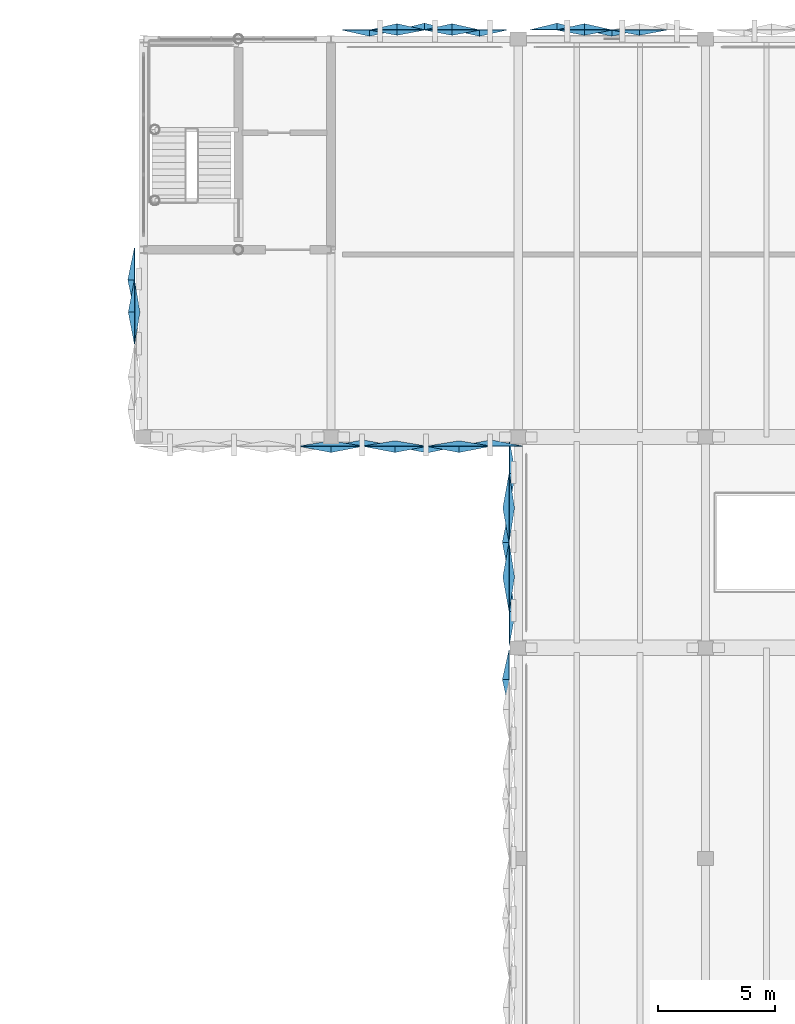
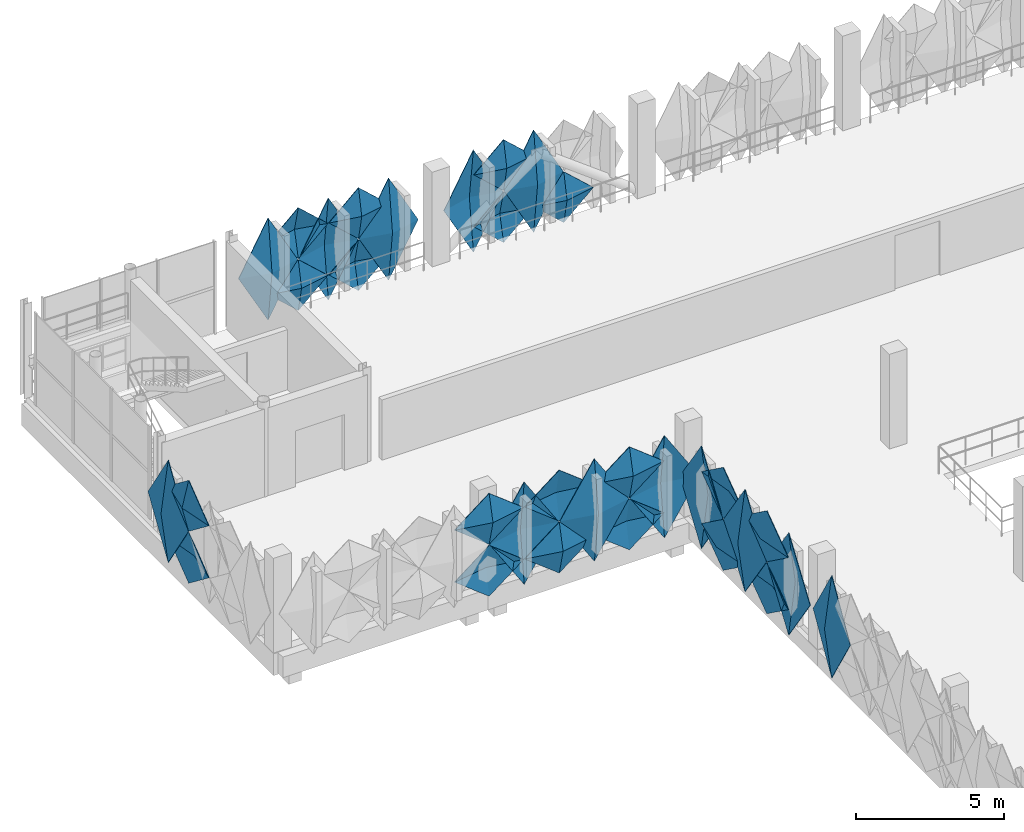
# One storey, part 38 of 52: 32 plates.
"""IFC4 building model written with IfcOpenShell, lengths in metres."""

from ifc_helpers import new_model, si_unit, derived_unit, direction, frame, origin, place, context, subcontext, project, spatial, polygons, material, layer, layer_set, type_object, element, save


model = new_model("IFC4")

# Units and contexts
model_context = context("Model", 3, precision=1e-05, world=origin(), true_north=direction((0.0, 1.0)))
body_context = subcontext(model_context, "Body", "Model", "MODEL_VIEW")
ifc_project = project(units=[si_unit("LENGTHUNIT", "METRE"), si_unit("AREAUNIT", "SQUARE_METRE"), si_unit("VOLUMEUNIT", "CUBIC_METRE"), si_unit("PLANEANGLEUNIT", "RADIAN"), si_unit("MASSUNIT", "GRAM", prefix="KILO"), si_unit("THERMODYNAMICTEMPERATUREUNIT", "KELVIN"), derived_unit("THERMALTRANSMITTANCEUNIT", [(si_unit("POWERUNIT", "WATT"), 1), (si_unit("AREAUNIT", "SQUARE_METRE"), -1), (si_unit("THERMODYNAMICTEMPERATUREUNIT", "KELVIN"), -1)])], contexts=[model_context])

# Site, building, storey
site_placement = place(None, origin())
site = spatial("IfcSite", under=ifc_project, at=site_placement, CompositionType="ELEMENT")
building_placement = place(site_placement, origin())
building = spatial("IfcBuilding", under=site, at=building_placement, Name="Haiyu Intermodal Mobility Hub", CompositionType="ELEMENT")
storey_placement = place(building_placement, frame((0.0, 0.0, 21.199951171875)))
storey = spatial("IfcBuildingStorey", under=building, at=storey_placement, Name="L05", CompositionType="ELEMENT", Elevation=21.199951171875)

# Plates
ifc_material = material(Name="Anodised aluminium 6063-T6", Category="aluminium")
ifc_layer_1 = layer(ifc_material, 0.02001953125)
ifc_layer_set_1 = layer_set([ifc_layer_1], Name="Anodised aluminium 6063-T6")
plate_type_1 = type_object("IfcPlateType", Name="PLT-FC02", PredefinedType="USERDEFINED", material=ifc_layer_set_1)
plate_1_placement = place(storey_placement, origin())
element("IfcPlate", 1, at=plate_1_placement, inside=storey, type_object=plate_type_1, Name="PLT-PYR-2428", ObjectType="FACADE CASSETTE", PredefinedType="USERDEFINED", context=body_context, shape_type="Tessellation", body=[
    polygons([(31.366943359375, 130.60009765625, -0.510009765625), (32.712890625, 130.60009765625, 1.60009765625), (31.366943359375, 130.60009765625, 3.7099609375), (30.02001953125, 130.60009765625, 1.60009765625), (31.366943359375, 130.860107421875, 1.60009765625), (31.366943359375, 130.6220703125, -0.510009765625), (32.712890625, 130.6220703125, 1.60009765625), (31.366943359375, 130.6220703125, 3.7099609375), (30.02001953125, 130.6220703125, 1.60009765625), (31.366943359375, 130.882080078125, 1.60009765625)], [[[1, 2, 5]], [[2, 3, 5]], [[3, 4, 5]], [[4, 1, 5]], [[7, 6, 10]], [[8, 7, 10]], [[9, 8, 10]], [[6, 9, 10]], [[1, 6, 7, 2]], [[2, 7, 8, 3]], [[3, 8, 9, 4]], [[4, 9, 6, 1]]], closed=True),
])
ifc_layer_2 = layer(ifc_material, 0.01806640625)
ifc_layer_set_2 = layer_set([ifc_layer_2], Name="Anodised aluminium 6063-T6")
plate_type_2 = type_object("IfcPlateType", Name="PLT-FC03", PredefinedType="USERDEFINED", material=ifc_layer_set_2)
plate_2_placement = place(storey_placement, origin())
element("IfcPlate", 2, at=plate_2_placement, inside=storey, type_object=plate_type_2, Name="PLT-PYR-0030", ObjectType="FACADE CASSETTE", PredefinedType="USERDEFINED", context=body_context, shape_type="Tessellation", body=[
    polygons([(35.173095703125, 148.39990234375, -0.52001953125), (34.02001953125, 148.39990234375, 0.530029296875), (35.173095703125, 148.39990234375, 1.580078125), (36.326904296875, 148.39990234375, 0.530029296875), (35.173095703125, 148.659912109375, 0.530029296875), (35.173095703125, 148.3779296875, -0.52001953125), (34.02001953125, 148.3779296875, 0.530029296875), (35.173095703125, 148.3779296875, 1.580078125), (36.326904296875, 148.3779296875, 0.530029296875), (35.173095703125, 148.637939453125, 0.530029296875)], [[[1, 2, 5]], [[2, 3, 5]], [[3, 4, 5]], [[4, 1, 5]], [[7, 6, 10]], [[8, 7, 10]], [[9, 8, 10]], [[6, 9, 10]], [[1, 6, 7, 2]], [[2, 7, 8, 3]], [[3, 8, 9, 4]], [[4, 9, 6, 1]]], closed=True),
])
plate_3_placement = place(storey_placement, origin())
element("IfcPlate", 3, at=plate_3_placement, inside=storey, type_object=plate_type_2, Name="PLT-PYR-0068", ObjectType="FACADE CASSETTE", PredefinedType="USERDEFINED", context=body_context, shape_type="Tessellation", body=[
    polygons([(40.826904296875, 148.39990234375, -0.52001953125), (39.673095703125, 148.39990234375, 0.530029296875), (40.826904296875, 148.39990234375, 1.580078125), (41.97998046875, 148.39990234375, 0.530029296875), (40.826904296875, 148.659912109375, 0.530029296875), (40.826904296875, 148.3779296875, -0.52001953125), (39.673095703125, 148.3779296875, 0.530029296875), (40.826904296875, 148.3779296875, 1.580078125), (41.97998046875, 148.3779296875, 0.530029296875), (40.826904296875, 148.637939453125, 0.530029296875)], [[[1, 2, 5]], [[2, 3, 5]], [[3, 4, 5]], [[4, 1, 5]], [[7, 6, 10]], [[8, 7, 10]], [[9, 8, 10]], [[6, 9, 10]], [[1, 6, 7, 2]], [[2, 7, 8, 3]], [[3, 8, 9, 4]], [[4, 9, 6, 1]]], closed=True),
])
plate_4_placement = place(storey_placement, origin())
element("IfcPlate", 4, at=plate_4_placement, inside=storey, type_object=plate_type_2, Name="PLT-PYR-0597", ObjectType="FACADE CASSETTE", PredefinedType="USERDEFINED", context=body_context, shape_type="Tessellation", body=[
    polygons([(37.60009765625, 120.64599609375, -0.510009765625), (37.60009765625, 119.39111328125, 1.60009765625), (37.60009765625, 120.64599609375, 3.7099609375), (37.60009765625, 121.89990234375, 1.60009765625), (37.320068359375, 120.64599609375, 1.60009765625), (37.6220703125, 120.64599609375, -0.510009765625), (37.6220703125, 119.39111328125, 1.60009765625), (37.6220703125, 120.64599609375, 3.7099609375), (37.6220703125, 121.89990234375, 1.60009765625), (37.342041015625, 120.64599609375, 1.60009765625)], [[[1, 2, 5]], [[2, 3, 5]], [[3, 4, 5]], [[4, 1, 5]], [[7, 6, 10]], [[8, 7, 10]], [[9, 8, 10]], [[6, 9, 10]], [[1, 6, 7, 2]], [[2, 7, 8, 3]], [[3, 8, 9, 4]], [[4, 9, 6, 1]]], closed=True),
])
plate_5_placement = place(storey_placement, origin())
element("IfcPlate", 5, at=plate_5_placement, inside=storey, type_object=plate_type_2, Name="PLT-PYR-0645", ObjectType="FACADE CASSETTE", PredefinedType="USERDEFINED", context=body_context, shape_type="Tessellation", body=[
    polygons([(37.60009765625, 127.972900390625, -0.52001953125), (37.60009765625, 126.52001953125, 0.530029296875), (37.60009765625, 127.972900390625, 1.580078125), (37.60009765625, 129.427001953125, 0.530029296875), (37.340087890625, 127.972900390625, 0.530029296875), (37.6220703125, 127.972900390625, -0.52001953125), (37.6220703125, 126.52001953125, 0.530029296875), (37.6220703125, 127.972900390625, 1.580078125), (37.6220703125, 129.427001953125, 0.530029296875), (37.362060546875, 127.972900390625, 0.530029296875)], [[[1, 2, 5]], [[2, 3, 5]], [[3, 4, 5]], [[4, 1, 5]], [[7, 6, 10]], [[8, 7, 10]], [[9, 8, 10]], [[6, 9, 10]], [[1, 6, 7, 2]], [[2, 7, 8, 3]], [[3, 8, 9, 4]], [[4, 9, 6, 1]]], closed=True),
])
plate_6_placement = place(storey_placement, origin())
element("IfcPlate", 6, at=plate_6_placement, inside=storey, type_object=plate_type_2, Name="PLT-PYR-2316", ObjectType="FACADE CASSETTE", PredefinedType="USERDEFINED", context=body_context, shape_type="Tessellation", body=[
    polygons([(21.60009765625, 137.717041015625, -0.510009765625), (21.60009765625, 136.35302734375, 1.60009765625), (21.60009765625, 137.717041015625, 3.7099609375), (21.60009765625, 139.080078125, 1.60009765625), (21.320068359375, 137.717041015625, 1.60009765625), (21.6220703125, 137.717041015625, -0.510009765625), (21.6220703125, 136.35302734375, 1.60009765625), (21.6220703125, 137.717041015625, 3.7099609375), (21.6220703125, 139.080078125, 1.60009765625), (21.342041015625, 137.717041015625, 1.60009765625)], [[[1, 2, 5]], [[2, 3, 5]], [[3, 4, 5]], [[4, 1, 5]], [[7, 6, 10]], [[8, 7, 10]], [[9, 8, 10]], [[6, 9, 10]], [[1, 6, 7, 2]], [[2, 7, 8, 3]], [[3, 8, 9, 4]], [[4, 9, 6, 1]]], closed=True),
])
plate_7_placement = place(storey_placement, origin())
element("IfcPlate", 7, at=plate_7_placement, inside=storey, type_object=plate_type_2, Name="PLT-PYR-2429", ObjectType="FACADE CASSETTE", PredefinedType="USERDEFINED", context=body_context, shape_type="Tessellation", body=[
    polygons([(32.73291015625, 130.60009765625, -0.52001953125), (34.080078125, 130.60009765625, 0.530029296875), (32.73291015625, 130.60009765625, 1.580078125), (31.386962890625, 130.60009765625, 0.530029296875), (32.73291015625, 130.340087890625, 0.530029296875), (32.73291015625, 130.6220703125, -0.52001953125), (34.080078125, 130.6220703125, 0.530029296875), (32.73291015625, 130.6220703125, 1.580078125), (31.386962890625, 130.6220703125, 0.530029296875), (32.73291015625, 130.362060546875, 0.530029296875)], [[[1, 2, 5]], [[2, 3, 5]], [[3, 4, 5]], [[4, 1, 5]], [[7, 6, 10]], [[8, 7, 10]], [[9, 8, 10]], [[6, 9, 10]], [[1, 6, 7, 2]], [[2, 7, 8, 3]], [[3, 8, 9, 4]], [[4, 9, 6, 1]]], closed=True),
])
plate_8_placement = place(storey_placement, origin())
element("IfcPlate", 8, at=plate_8_placement, inside=storey, type_object=plate_type_2, Name="PLT-PYR-2431", ObjectType="FACADE CASSETTE", PredefinedType="USERDEFINED", context=body_context, shape_type="Tessellation", body=[
    polygons([(34.10009765625, 130.60009765625, -0.510009765625), (35.447021484375, 130.60009765625, 1.60009765625), (34.10009765625, 130.60009765625, 3.7099609375), (32.7529296875, 130.60009765625, 1.60009765625), (34.10009765625, 130.320068359375, 1.60009765625), (34.10009765625, 130.6220703125, -0.510009765625), (35.447021484375, 130.6220703125, 1.60009765625), (34.10009765625, 130.6220703125, 3.7099609375), (32.7529296875, 130.6220703125, 1.60009765625), (34.10009765625, 130.342041015625, 1.60009765625)], [[[1, 2, 5]], [[2, 3, 5]], [[3, 4, 5]], [[4, 1, 5]], [[7, 6, 10]], [[8, 7, 10]], [[9, 8, 10]], [[6, 9, 10]], [[1, 6, 7, 2]], [[2, 7, 8, 3]], [[3, 8, 9, 4]], [[4, 9, 6, 1]]], closed=True),
])
ifc_layer_3 = layer(ifc_material, 0.02001953125)
ifc_layer_set_3 = layer_set([ifc_layer_3], Name="Anodised aluminium 6063-T6")
plate_type_3 = type_object("IfcPlateType", Name="PLT-FC04", PredefinedType="USERDEFINED", material=ifc_layer_set_3)
plate_9_placement = place(storey_placement, origin())
element("IfcPlate", 9, at=plate_9_placement, inside=storey, type_object=plate_type_3, Name="PLT-PYR-0029", ObjectType="FACADE CASSETTE", PredefinedType="USERDEFINED", context=body_context, shape_type="Tessellation", body=[
    polygons([(36.346923828125, 148.39990234375, -0.510009765625), (35.193115234375, 148.39990234375, 1.60009765625), (36.346923828125, 148.39990234375, 3.7099609375), (37.5, 148.39990234375, 1.60009765625), (36.346923828125, 148.139892578125, 1.60009765625), (36.346923828125, 148.3779296875, -0.510009765625), (35.193115234375, 148.3779296875, 1.60009765625), (36.346923828125, 148.3779296875, 3.7099609375), (37.5, 148.3779296875, 1.60009765625), (36.346923828125, 148.117919921875, 1.60009765625)], [[[1, 2, 5]], [[2, 3, 5]], [[3, 4, 5]], [[4, 1, 5]], [[7, 6, 10]], [[8, 7, 10]], [[9, 8, 10]], [[6, 9, 10]], [[1, 6, 7, 2]], [[2, 7, 8, 3]], [[3, 8, 9, 4]], [[4, 9, 6, 1]]], closed=True),
])
plate_10_placement = place(storey_placement, origin())
element("IfcPlate", 10, at=plate_10_placement, inside=storey, type_object=plate_type_3, Name="PLT-PYR-0033", ObjectType="FACADE CASSETTE", PredefinedType="USERDEFINED", context=body_context, shape_type="Tessellation", body=[
    polygons([(32.826904296875, 148.39990234375, -0.52001953125), (31.673095703125, 148.39990234375, 0.530029296875), (32.826904296875, 148.39990234375, 1.580078125), (33.97998046875, 148.39990234375, 0.530029296875), (32.826904296875, 148.179931640625, 0.530029296875), (32.826904296875, 148.3779296875, -0.52001953125), (31.673095703125, 148.3779296875, 0.530029296875), (32.826904296875, 148.3779296875, 1.580078125), (33.97998046875, 148.3779296875, 0.530029296875), (32.826904296875, 148.157958984375, 0.530029296875)], [[[1, 2, 5]], [[2, 3, 5]], [[3, 4, 5]], [[4, 1, 5]], [[7, 6, 10]], [[8, 7, 10]], [[9, 8, 10]], [[6, 9, 10]], [[1, 6, 7, 2]], [[2, 7, 8, 3]], [[3, 8, 9, 4]], [[4, 9, 6, 1]]], closed=True),
])
plate_11_placement = place(storey_placement, origin())
element("IfcPlate", 11, at=plate_11_placement, inside=storey, type_object=plate_type_3, Name="PLT-PYR-0065", ObjectType="FACADE CASSETTE", PredefinedType="USERDEFINED", context=body_context, shape_type="Tessellation", body=[
    polygons([(43.173095703125, 148.39990234375, -0.52001953125), (42.02001953125, 148.39990234375, 0.530029296875), (43.173095703125, 148.39990234375, 1.580078125), (44.326904296875, 148.39990234375, 0.530029296875), (43.173095703125, 148.179931640625, 0.530029296875), (43.173095703125, 148.3779296875, -0.52001953125), (42.02001953125, 148.3779296875, 0.530029296875), (43.173095703125, 148.3779296875, 1.580078125), (44.326904296875, 148.3779296875, 0.530029296875), (43.173095703125, 148.157958984375, 0.530029296875)], [[[1, 2, 5]], [[2, 3, 5]], [[3, 4, 5]], [[4, 1, 5]], [[7, 6, 10]], [[8, 7, 10]], [[9, 8, 10]], [[6, 9, 10]], [[1, 6, 7, 2]], [[2, 7, 8, 3]], [[3, 8, 9, 4]], [[4, 9, 6, 1]]], closed=True),
])
plate_12_placement = place(storey_placement, origin())
element("IfcPlate", 12, at=plate_12_placement, inside=storey, type_object=plate_type_3, Name="PLT-PYR-0644", ObjectType="FACADE CASSETTE", PredefinedType="USERDEFINED", context=body_context, shape_type="Tessellation", body=[
    polygons([(37.60009765625, 129.447021484375, -0.510009765625), (37.60009765625, 127.992919921875, 1.60009765625), (37.60009765625, 129.447021484375, 3.7099609375), (37.60009765625, 130.89990234375, 1.60009765625), (37.860107421875, 129.447021484375, 1.60009765625), (37.6220703125, 129.447021484375, -0.510009765625), (37.6220703125, 127.992919921875, 1.60009765625), (37.6220703125, 129.447021484375, 3.7099609375), (37.6220703125, 130.89990234375, 1.60009765625), (37.882080078125, 129.447021484375, 1.60009765625)], [[[1, 2, 5]], [[2, 3, 5]], [[3, 4, 5]], [[4, 1, 5]], [[7, 6, 10]], [[8, 7, 10]], [[9, 8, 10]], [[6, 9, 10]], [[1, 6, 7, 2]], [[2, 7, 8, 3]], [[3, 8, 9, 4]], [[4, 9, 6, 1]]], closed=True),
])
plate_13_placement = place(storey_placement, origin())
element("IfcPlate", 13, at=plate_13_placement, inside=storey, type_object=plate_type_3, Name="PLT-PYR-0648", ObjectType="FACADE CASSETTE", PredefinedType="USERDEFINED", context=body_context, shape_type="Tessellation", body=[
    polygons([(37.60009765625, 125.027099609375, -0.52001953125), (37.60009765625, 123.572998046875, 0.530029296875), (37.60009765625, 125.027099609375, 1.580078125), (37.60009765625, 126.47998046875, 0.530029296875), (37.820068359375, 125.027099609375, 0.530029296875), (37.6220703125, 125.027099609375, -0.52001953125), (37.6220703125, 123.572998046875, 0.530029296875), (37.6220703125, 125.027099609375, 1.580078125), (37.6220703125, 126.47998046875, 0.530029296875), (37.842041015625, 125.027099609375, 0.530029296875)], [[[1, 2, 5]], [[2, 3, 5]], [[3, 4, 5]], [[4, 1, 5]], [[7, 6, 10]], [[8, 7, 10]], [[9, 8, 10]], [[6, 9, 10]], [[1, 6, 7, 2]], [[2, 7, 8, 3]], [[3, 8, 9, 4]], [[4, 9, 6, 1]]], closed=True),
])
plate_14_placement = place(storey_placement, origin())
element("IfcPlate", 14, at=plate_14_placement, inside=storey, type_object=plate_type_3, Name="PLT-PYR-2317", ObjectType="FACADE CASSETTE", PredefinedType="USERDEFINED", context=body_context, shape_type="Tessellation", body=[
    polygons([(21.60009765625, 136.3330078125, -0.52001953125), (21.60009765625, 134.969970703125, 0.530029296875), (21.60009765625, 136.3330078125, 1.580078125), (21.60009765625, 137.697021484375, 0.530029296875), (21.820068359375, 136.3330078125, 0.530029296875), (21.6220703125, 136.3330078125, -0.52001953125), (21.6220703125, 134.969970703125, 0.530029296875), (21.6220703125, 136.3330078125, 1.580078125), (21.6220703125, 137.697021484375, 0.530029296875), (21.842041015625, 136.3330078125, 0.530029296875)], [[[1, 2, 5]], [[2, 3, 5]], [[3, 4, 5]], [[4, 1, 5]], [[7, 6, 10]], [[8, 7, 10]], [[9, 8, 10]], [[6, 9, 10]], [[1, 6, 7, 2]], [[2, 7, 8, 3]], [[3, 8, 9, 4]], [[4, 9, 6, 1]]], closed=True),
])
plate_15_placement = place(storey_placement, origin())
element("IfcPlate", 15, at=plate_15_placement, inside=storey, type_object=plate_type_3, Name="PLT-PYR-2426", ObjectType="FACADE CASSETTE", PredefinedType="USERDEFINED", context=body_context, shape_type="Tessellation", body=[
    polygons([(30.0, 130.60009765625, -0.52001953125), (31.346923828125, 130.60009765625, 0.530029296875), (30.0, 130.60009765625, 1.580078125), (28.653076171875, 130.60009765625, 0.530029296875), (30.0, 130.820068359375, 0.530029296875), (30.0, 130.6220703125, -0.52001953125), (31.346923828125, 130.6220703125, 0.530029296875), (30.0, 130.6220703125, 1.580078125), (28.653076171875, 130.6220703125, 0.530029296875), (30.0, 130.842041015625, 0.530029296875)], [[[1, 2, 5]], [[2, 3, 5]], [[3, 4, 5]], [[4, 1, 5]], [[7, 6, 10]], [[8, 7, 10]], [[9, 8, 10]], [[6, 9, 10]], [[1, 6, 7, 2]], [[2, 7, 8, 3]], [[3, 8, 9, 4]], [[4, 9, 6, 1]]], closed=True),
])
plate_16_placement = place(storey_placement, origin())
element("IfcPlate", 16, at=plate_16_placement, inside=storey, type_object=plate_type_3, Name="PLT-PYR-2432", ObjectType="FACADE CASSETTE", PredefinedType="USERDEFINED", context=body_context, shape_type="Tessellation", body=[
    polygons([(35.467041015625, 130.60009765625, -0.52001953125), (36.81298828125, 130.60009765625, 0.530029296875), (35.467041015625, 130.60009765625, 1.580078125), (34.1201171875, 130.60009765625, 0.530029296875), (35.467041015625, 130.820068359375, 0.530029296875), (35.467041015625, 130.6220703125, -0.52001953125), (36.81298828125, 130.6220703125, 0.530029296875), (35.467041015625, 130.6220703125, 1.580078125), (34.1201171875, 130.6220703125, 0.530029296875), (35.467041015625, 130.842041015625, 0.530029296875)], [[[1, 2, 5]], [[2, 3, 5]], [[3, 4, 5]], [[4, 1, 5]], [[7, 6, 10]], [[8, 7, 10]], [[9, 8, 10]], [[6, 9, 10]], [[1, 6, 7, 2]], [[2, 7, 8, 3]], [[3, 8, 9, 4]], [[4, 9, 6, 1]]], closed=True),
])
ifc_layer_4 = layer(ifc_material, 0.01806640625)
ifc_layer_set_4 = layer_set([ifc_layer_4], Name="Anodised aluminium 6063-T6")
plate_type_4 = type_object("IfcPlateType", Name="PLT-FC05", PredefinedType="USERDEFINED", material=ifc_layer_set_4)
plate_17_placement = place(storey_placement, origin())
element("IfcPlate", 17, at=plate_17_placement, inside=storey, type_object=plate_type_4, Name="PLT-PYR-0032", ObjectType="FACADE CASSETTE", PredefinedType="USERDEFINED", context=body_context, shape_type="Tessellation", body=[
    polygons([(34.0, 148.39990234375, -0.510009765625), (32.846923828125, 148.39990234375, 1.60009765625), (34.0, 148.39990234375, 3.7099609375), (35.153076171875, 148.39990234375, 1.60009765625), (34.0, 148.679931640625, 1.60009765625), (34.0, 148.3779296875, -0.510009765625), (32.846923828125, 148.3779296875, 1.60009765625), (34.0, 148.3779296875, 3.7099609375), (35.153076171875, 148.3779296875, 1.60009765625), (34.0, 148.657958984375, 1.60009765625)], [[[1, 2, 5]], [[2, 3, 5]], [[3, 4, 5]], [[4, 1, 5]], [[7, 6, 10]], [[8, 7, 10]], [[9, 8, 10]], [[6, 9, 10]], [[1, 6, 7, 2]], [[2, 7, 8, 3]], [[3, 8, 9, 4]], [[4, 9, 6, 1]]], closed=True),
])
plate_18_placement = place(storey_placement, origin())
element("IfcPlate", 18, at=plate_18_placement, inside=storey, type_object=plate_type_4, Name="PLT-PYR-0034", ObjectType="FACADE CASSETTE", PredefinedType="USERDEFINED", context=body_context, shape_type="Tessellation", body=[
    polygons([(32.826904296875, 148.39990234375, 1.6201171875), (31.673095703125, 148.39990234375, 2.670166015625), (32.826904296875, 148.39990234375, 3.719970703125), (33.97998046875, 148.39990234375, 2.670166015625), (32.826904296875, 148.659912109375, 2.670166015625), (32.826904296875, 148.3779296875, 1.6201171875), (31.673095703125, 148.3779296875, 2.670166015625), (32.826904296875, 148.3779296875, 3.719970703125), (33.97998046875, 148.3779296875, 2.670166015625), (32.826904296875, 148.637939453125, 2.670166015625)], [[[1, 2, 5]], [[2, 3, 5]], [[3, 4, 5]], [[4, 1, 5]], [[7, 6, 10]], [[8, 7, 10]], [[9, 8, 10]], [[6, 9, 10]], [[1, 6, 7, 2]], [[2, 7, 8, 3]], [[3, 8, 9, 4]], [[4, 9, 6, 1]]], closed=True),
])
plate_19_placement = place(storey_placement, origin())
element("IfcPlate", 19, at=plate_19_placement, inside=storey, type_object=plate_type_4, Name="PLT-PYR-0647", ObjectType="FACADE CASSETTE", PredefinedType="USERDEFINED", context=body_context, shape_type="Tessellation", body=[
    polygons([(37.60009765625, 126.5, -0.510009765625), (37.60009765625, 125.047119140625, 1.60009765625), (37.60009765625, 126.5, 3.7099609375), (37.60009765625, 127.952880859375, 1.60009765625), (37.320068359375, 126.5, 1.60009765625), (37.6220703125, 126.5, -0.510009765625), (37.6220703125, 125.047119140625, 1.60009765625), (37.6220703125, 126.5, 3.7099609375), (37.6220703125, 127.952880859375, 1.60009765625), (37.342041015625, 126.5, 1.60009765625)], [[[1, 2, 5]], [[2, 3, 5]], [[3, 4, 5]], [[4, 1, 5]], [[7, 6, 10]], [[8, 7, 10]], [[9, 8, 10]], [[6, 9, 10]], [[1, 6, 7, 2]], [[2, 7, 8, 3]], [[3, 8, 9, 4]], [[4, 9, 6, 1]]], closed=True),
])
plate_20_placement = place(storey_placement, origin())
element("IfcPlate", 20, at=plate_20_placement, inside=storey, type_object=plate_type_4, Name="PLT-PYR-0649", ObjectType="FACADE CASSETTE", PredefinedType="USERDEFINED", context=body_context, shape_type="Tessellation", body=[
    polygons([(37.60009765625, 125.027099609375, 1.6201171875), (37.60009765625, 123.572998046875, 2.670166015625), (37.60009765625, 125.027099609375, 3.719970703125), (37.60009765625, 126.47998046875, 2.670166015625), (37.340087890625, 125.027099609375, 2.670166015625), (37.6220703125, 125.027099609375, 1.6201171875), (37.6220703125, 123.572998046875, 2.670166015625), (37.6220703125, 125.027099609375, 3.719970703125), (37.6220703125, 126.47998046875, 2.670166015625), (37.362060546875, 125.027099609375, 2.670166015625)], [[[1, 2, 5]], [[2, 3, 5]], [[3, 4, 5]], [[4, 1, 5]], [[7, 6, 10]], [[8, 7, 10]], [[9, 8, 10]], [[6, 9, 10]], [[1, 6, 7, 2]], [[2, 7, 8, 3]], [[3, 8, 9, 4]], [[4, 9, 6, 1]]], closed=True),
])
plate_21_placement = place(storey_placement, origin())
element("IfcPlate", 21, at=plate_21_placement, inside=storey, type_object=plate_type_4, Name="PLT-PYR-2318", ObjectType="FACADE CASSETTE", PredefinedType="USERDEFINED", context=body_context, shape_type="Tessellation", body=[
    polygons([(21.60009765625, 136.3330078125, 1.6201171875), (21.60009765625, 134.969970703125, 2.670166015625), (21.60009765625, 136.3330078125, 3.719970703125), (21.60009765625, 137.697021484375, 2.670166015625), (21.340087890625, 136.3330078125, 2.670166015625), (21.6220703125, 136.3330078125, 1.6201171875), (21.6220703125, 134.969970703125, 2.670166015625), (21.6220703125, 136.3330078125, 3.719970703125), (21.6220703125, 137.697021484375, 2.670166015625), (21.362060546875, 136.3330078125, 2.670166015625)], [[[1, 2, 5]], [[2, 3, 5]], [[3, 4, 5]], [[4, 1, 5]], [[7, 6, 10]], [[8, 7, 10]], [[9, 8, 10]], [[6, 9, 10]], [[1, 6, 7, 2]], [[2, 7, 8, 3]], [[3, 8, 9, 4]], [[4, 9, 6, 1]]], closed=True),
])
plate_22_placement = place(storey_placement, origin())
element("IfcPlate", 22, at=plate_22_placement, inside=storey, type_object=plate_type_4, Name="PLT-PYR-2427", ObjectType="FACADE CASSETTE", PredefinedType="USERDEFINED", context=body_context, shape_type="Tessellation", body=[
    polygons([(30.0, 130.60009765625, 1.6201171875), (31.346923828125, 130.60009765625, 2.670166015625), (30.0, 130.60009765625, 3.719970703125), (28.653076171875, 130.60009765625, 2.670166015625), (30.0, 130.340087890625, 2.670166015625), (30.0, 130.6220703125, 1.6201171875), (31.346923828125, 130.6220703125, 2.670166015625), (30.0, 130.6220703125, 3.719970703125), (28.653076171875, 130.6220703125, 2.670166015625), (30.0, 130.362060546875, 2.670166015625)], [[[1, 2, 5]], [[2, 3, 5]], [[3, 4, 5]], [[4, 1, 5]], [[7, 6, 10]], [[8, 7, 10]], [[9, 8, 10]], [[6, 9, 10]], [[1, 6, 7, 2]], [[2, 7, 8, 3]], [[3, 8, 9, 4]], [[4, 9, 6, 1]]], closed=True),
])
plate_23_placement = place(storey_placement, origin())
element("IfcPlate", 23, at=plate_23_placement, inside=storey, type_object=plate_type_4, Name="PLT-PYR-2433", ObjectType="FACADE CASSETTE", PredefinedType="USERDEFINED", context=body_context, shape_type="Tessellation", body=[
    polygons([(35.467041015625, 130.60009765625, 1.6201171875), (36.81298828125, 130.60009765625, 2.670166015625), (35.467041015625, 130.60009765625, 3.719970703125), (34.1201171875, 130.60009765625, 2.670166015625), (35.467041015625, 130.340087890625, 2.670166015625), (35.467041015625, 130.6220703125, 1.6201171875), (36.81298828125, 130.6220703125, 2.670166015625), (35.467041015625, 130.6220703125, 3.719970703125), (34.1201171875, 130.6220703125, 2.670166015625), (35.467041015625, 130.362060546875, 2.670166015625)], [[[1, 2, 5]], [[2, 3, 5]], [[3, 4, 5]], [[4, 1, 5]], [[7, 6, 10]], [[8, 7, 10]], [[9, 8, 10]], [[6, 9, 10]], [[1, 6, 7, 2]], [[2, 7, 8, 3]], [[3, 8, 9, 4]], [[4, 9, 6, 1]]], closed=True),
])
ifc_layer_5 = layer(ifc_material, 0.02001953125)
ifc_layer_set_5 = layer_set([ifc_layer_5], Name="Anodised aluminium 6063-T6")
plate_type_5 = type_object("IfcPlateType", Name="PLT-FC06", PredefinedType="USERDEFINED", material=ifc_layer_set_5)
plate_24_placement = place(storey_placement, origin())
element("IfcPlate", 24, at=plate_24_placement, inside=storey, type_object=plate_type_5, Name="PLT-PYR-0031", ObjectType="FACADE CASSETTE", PredefinedType="USERDEFINED", context=body_context, shape_type="Tessellation", body=[
    polygons([(35.173095703125, 148.39990234375, 1.6201171875), (34.02001953125, 148.39990234375, 2.670166015625), (35.173095703125, 148.39990234375, 3.719970703125), (36.326904296875, 148.39990234375, 2.670166015625), (35.173095703125, 148.179931640625, 2.670166015625), (35.173095703125, 148.3779296875, 1.6201171875), (34.02001953125, 148.3779296875, 2.670166015625), (35.173095703125, 148.3779296875, 3.719970703125), (36.326904296875, 148.3779296875, 2.670166015625), (35.173095703125, 148.157958984375, 2.670166015625)], [[[1, 2, 5]], [[2, 3, 5]], [[3, 4, 5]], [[4, 1, 5]], [[7, 6, 10]], [[8, 7, 10]], [[9, 8, 10]], [[6, 9, 10]], [[1, 6, 7, 2]], [[2, 7, 8, 3]], [[3, 8, 9, 4]], [[4, 9, 6, 1]]], closed=True),
])
plate_25_placement = place(storey_placement, origin())
element("IfcPlate", 25, at=plate_25_placement, inside=storey, type_object=plate_type_5, Name="PLT-PYR-0067", ObjectType="FACADE CASSETTE", PredefinedType="USERDEFINED", context=body_context, shape_type="Tessellation", body=[
    polygons([(42.0, 148.39990234375, -0.510009765625), (40.846923828125, 148.39990234375, 1.60009765625), (42.0, 148.39990234375, 3.7099609375), (43.153076171875, 148.39990234375, 1.60009765625), (42.0, 148.139892578125, 1.60009765625), (42.0, 148.3779296875, -0.510009765625), (40.846923828125, 148.3779296875, 1.60009765625), (42.0, 148.3779296875, 3.7099609375), (43.153076171875, 148.3779296875, 1.60009765625), (42.0, 148.117919921875, 1.60009765625)], [[[1, 2, 5]], [[2, 3, 5]], [[3, 4, 5]], [[4, 1, 5]], [[7, 6, 10]], [[8, 7, 10]], [[9, 8, 10]], [[6, 9, 10]], [[1, 6, 7, 2]], [[2, 7, 8, 3]], [[3, 8, 9, 4]], [[4, 9, 6, 1]]], closed=True),
])
plate_26_placement = place(storey_placement, origin())
element("IfcPlate", 26, at=plate_26_placement, inside=storey, type_object=plate_type_5, Name="PLT-PYR-0069", ObjectType="FACADE CASSETTE", PredefinedType="USERDEFINED", context=body_context, shape_type="Tessellation", body=[
    polygons([(40.826904296875, 148.39990234375, 1.6201171875), (39.673095703125, 148.39990234375, 2.670166015625), (40.826904296875, 148.39990234375, 3.719970703125), (41.97998046875, 148.39990234375, 2.670166015625), (40.826904296875, 148.179931640625, 2.670166015625), (40.826904296875, 148.3779296875, 1.6201171875), (39.673095703125, 148.3779296875, 2.670166015625), (40.826904296875, 148.3779296875, 3.719970703125), (41.97998046875, 148.3779296875, 2.670166015625), (40.826904296875, 148.157958984375, 2.670166015625)], [[[1, 2, 5]], [[2, 3, 5]], [[3, 4, 5]], [[4, 1, 5]], [[7, 6, 10]], [[8, 7, 10]], [[9, 8, 10]], [[6, 9, 10]], [[1, 6, 7, 2]], [[2, 7, 8, 3]], [[3, 8, 9, 4]], [[4, 9, 6, 1]]], closed=True),
])
plate_27_placement = place(storey_placement, origin())
element("IfcPlate", 27, at=plate_27_placement, inside=storey, type_object=plate_type_5, Name="PLT-PYR-0646", ObjectType="FACADE CASSETTE", PredefinedType="USERDEFINED", context=body_context, shape_type="Tessellation", body=[
    polygons([(37.60009765625, 127.972900390625, 1.6201171875), (37.60009765625, 126.52001953125, 2.670166015625), (37.60009765625, 127.972900390625, 3.719970703125), (37.60009765625, 129.427001953125, 2.670166015625), (37.820068359375, 127.972900390625, 2.670166015625), (37.6220703125, 127.972900390625, 1.6201171875), (37.6220703125, 126.52001953125, 2.670166015625), (37.6220703125, 127.972900390625, 3.719970703125), (37.6220703125, 129.427001953125, 2.670166015625), (37.842041015625, 127.972900390625, 2.670166015625)], [[[1, 2, 5]], [[2, 3, 5]], [[3, 4, 5]], [[4, 1, 5]], [[7, 6, 10]], [[8, 7, 10]], [[9, 8, 10]], [[6, 9, 10]], [[1, 6, 7, 2]], [[2, 7, 8, 3]], [[3, 8, 9, 4]], [[4, 9, 6, 1]]], closed=True),
])
plate_28_placement = place(storey_placement, origin())
element("IfcPlate", 28, at=plate_28_placement, inside=storey, type_object=plate_type_5, Name="PLT-PYR-2430", ObjectType="FACADE CASSETTE", PredefinedType="USERDEFINED", context=body_context, shape_type="Tessellation", body=[
    polygons([(32.73291015625, 130.60009765625, 1.6201171875), (34.080078125, 130.60009765625, 2.670166015625), (32.73291015625, 130.60009765625, 3.719970703125), (31.386962890625, 130.60009765625, 2.670166015625), (32.73291015625, 130.820068359375, 2.670166015625), (32.73291015625, 130.6220703125, 1.6201171875), (34.080078125, 130.6220703125, 2.670166015625), (32.73291015625, 130.6220703125, 3.719970703125), (31.386962890625, 130.6220703125, 2.670166015625), (32.73291015625, 130.842041015625, 2.670166015625)], [[[1, 2, 5]], [[2, 3, 5]], [[3, 4, 5]], [[4, 1, 5]], [[7, 6, 10]], [[8, 7, 10]], [[9, 8, 10]], [[6, 9, 10]], [[1, 6, 7, 2]], [[2, 7, 8, 3]], [[3, 8, 9, 4]], [[4, 9, 6, 1]]], closed=True),
])
plate_29_placement = place(storey_placement, origin())
element("IfcPlate", 29, at=plate_29_placement, inside=storey, type_object=plate_type_5, Name="PLT-PYR-2434", ObjectType="FACADE CASSETTE", PredefinedType="USERDEFINED", context=body_context, shape_type="Tessellation", body=[
    polygons([(36.8330078125, 130.60009765625, -0.510009765625), (38.179931640625, 130.60009765625, 1.60009765625), (36.8330078125, 130.60009765625, 3.7099609375), (35.487060546875, 130.60009765625, 1.60009765625), (36.8330078125, 130.860107421875, 1.60009765625), (36.8330078125, 130.6220703125, -0.510009765625), (38.179931640625, 130.6220703125, 1.60009765625), (36.8330078125, 130.6220703125, 3.7099609375), (35.487060546875, 130.6220703125, 1.60009765625), (36.8330078125, 130.882080078125, 1.60009765625)], [[[1, 2, 5]], [[2, 3, 5]], [[3, 4, 5]], [[4, 1, 5]], [[7, 6, 10]], [[8, 7, 10]], [[9, 8, 10]], [[6, 9, 10]], [[1, 6, 7, 2]], [[2, 7, 8, 3]], [[3, 8, 9, 4]], [[4, 9, 6, 1]]], closed=True),
])
ifc_layer_6 = layer(ifc_material, 0.02197265625)
ifc_layer_set_6 = layer_set([ifc_layer_6], Name="Anodised aluminium 6063-T6")
plate_type_6 = type_object("IfcPlateType", Name="PLT-FC07", PredefinedType="USERDEFINED", material=ifc_layer_set_6)
plate_30_placement = place(storey_placement, origin())
element("IfcPlate", 30, at=plate_30_placement, inside=storey, type_object=plate_type_6, Name="PLT-PYR-0070", ObjectType="FACADE CASSETTE", PredefinedType="USERDEFINED", context=body_context, shape_type="Tessellation", body=[
    polygons([(39.653076171875, 148.39990234375, -0.510009765625), (38.5, 148.39990234375, 1.60009765625), (39.653076171875, 148.39990234375, 3.7099609375), (40.806884765625, 148.39990234375, 1.60009765625), (39.653076171875, 148.679931640625, 1.60009765625), (39.653076171875, 148.3779296875, -0.510009765625), (38.5, 148.3779296875, 1.60009765625), (39.653076171875, 148.3779296875, 3.7099609375), (40.806884765625, 148.3779296875, 1.60009765625), (39.653076171875, 148.657958984375, 1.60009765625)], [[[1, 2, 5]], [[2, 3, 5]], [[3, 4, 5]], [[4, 1, 5]], [[7, 6, 10]], [[8, 7, 10]], [[9, 8, 10]], [[6, 9, 10]], [[1, 6, 7, 2]], [[2, 7, 8, 3]], [[3, 8, 9, 4]], [[4, 9, 6, 1]]], closed=True),
])
ifc_layer_7 = layer(ifc_material, 0.02392578125)
ifc_layer_set_7 = layer_set([ifc_layer_7], Name="Anodised aluminium 6063-T6")
plate_type_7 = type_object("IfcPlateType", Name="PLT-FC08", PredefinedType="USERDEFINED", material=ifc_layer_set_7)
plate_31_placement = place(storey_placement, origin())
element("IfcPlate", 31, at=plate_31_placement, inside=storey, type_object=plate_type_7, Name="PLT-PYR-0035", ObjectType="FACADE CASSETTE", PredefinedType="USERDEFINED", context=body_context, shape_type="Tessellation", body=[
    polygons([(31.653076171875, 148.39990234375, -0.510009765625), (30.5, 148.39990234375, 1.60009765625), (31.653076171875, 148.39990234375, 3.7099609375), (32.806884765625, 148.39990234375, 1.60009765625), (31.653076171875, 148.139892578125, 1.60009765625), (31.653076171875, 148.3779296875, -0.510009765625), (30.5, 148.3779296875, 1.60009765625), (31.653076171875, 148.3779296875, 3.7099609375), (32.806884765625, 148.3779296875, 1.60009765625), (31.653076171875, 148.117919921875, 1.60009765625)], [[[1, 2, 5]], [[2, 3, 5]], [[3, 4, 5]], [[4, 1, 5]], [[7, 6, 10]], [[8, 7, 10]], [[9, 8, 10]], [[6, 9, 10]], [[1, 6, 7, 2]], [[2, 7, 8, 3]], [[3, 8, 9, 4]], [[4, 9, 6, 1]]], closed=True),
])
plate_32_placement = place(storey_placement, origin())
element("IfcPlate", 32, at=plate_32_placement, inside=storey, type_object=plate_type_7, Name="PLT-PYR-0650", ObjectType="FACADE CASSETTE", PredefinedType="USERDEFINED", context=body_context, shape_type="Tessellation", body=[
    polygons([(37.60009765625, 123.552978515625, -0.510009765625), (37.60009765625, 122.10009765625, 1.60009765625), (37.60009765625, 123.552978515625, 3.7099609375), (37.60009765625, 125.007080078125, 1.60009765625), (37.860107421875, 123.552978515625, 1.60009765625), (37.6220703125, 123.552978515625, -0.510009765625), (37.6220703125, 122.10009765625, 1.60009765625), (37.6220703125, 123.552978515625, 3.7099609375), (37.6220703125, 125.007080078125, 1.60009765625), (37.882080078125, 123.552978515625, 1.60009765625)], [[[1, 2, 5]], [[2, 3, 5]], [[3, 4, 5]], [[4, 1, 5]], [[7, 6, 10]], [[8, 7, 10]], [[9, 8, 10]], [[6, 9, 10]], [[1, 6, 7, 2]], [[2, 7, 8, 3]], [[3, 8, 9, 4]], [[4, 9, 6, 1]]], closed=True),
])

save(model, "model.ifc")
